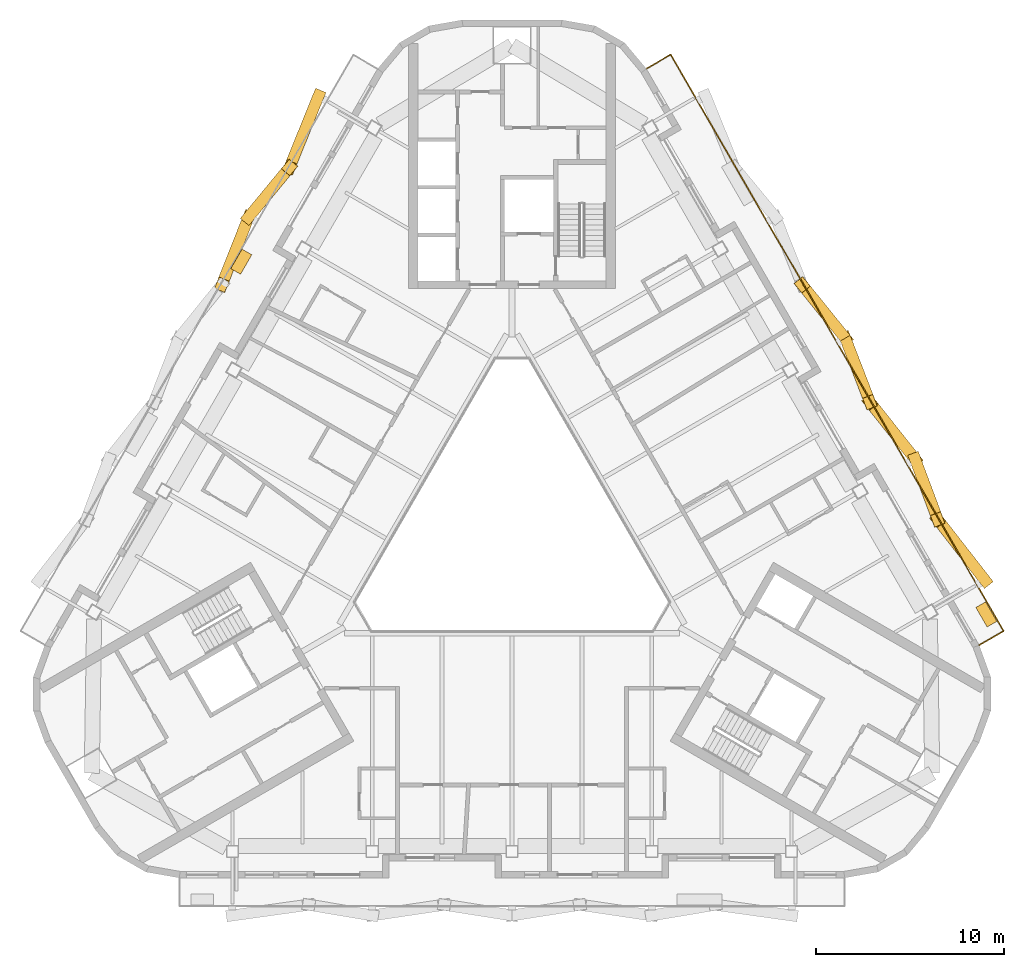
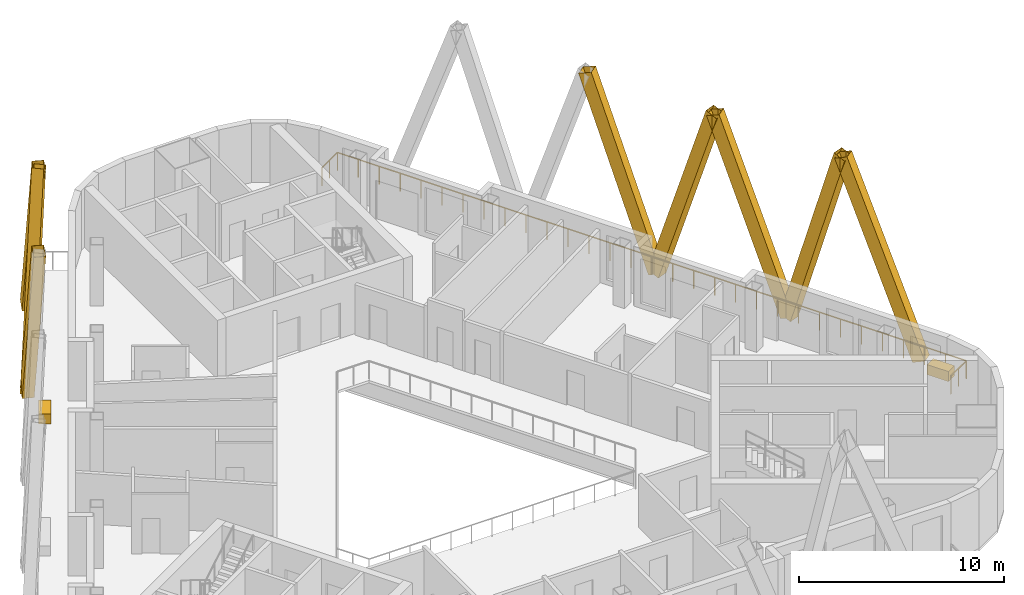
# One storey, part 13 of 14: 8 shading devices, 2 coverings, 1 railing.
"""IFC4 building model written with IfcOpenShell, lengths in metres."""

from ifc_helpers import new_model, si_unit, direction, frame, origin, origin_2d, place, context, subcontext, project, spatial, rectangle, hollow_rectangle, extrude, material, material_profile, profile_set, type_object, element, save


model = new_model("IFC4")

# Units and contexts
model_context = context("Model", 3, precision=1e-05, world=origin(), true_north=direction((0.0, 1.0)))
body_context = subcontext(model_context, "Body", "Model", "MODEL_VIEW")
ifc_project = project(units=[si_unit("LENGTHUNIT", "METRE"), si_unit("AREAUNIT", "SQUARE_METRE"), si_unit("VOLUMEUNIT", "CUBIC_METRE"), si_unit("PLANEANGLEUNIT", "RADIAN"), si_unit("MASSUNIT", "GRAM", prefix="KILO")], contexts=[model_context])

# Site, building, storey
site_placement = place(None, origin())
site = spatial("IfcSite", under=ifc_project, at=site_placement, CompositionType="ELEMENT")
building_placement = place(site_placement, origin())
building = spatial("IfcBuilding", under=site, at=building_placement, Name="Apuvela Tower Hotel", CompositionType="ELEMENT")
storey_placement = place(building_placement, frame((0.0, 0.0, 268.89990234375)))
storey = spatial("IfcBuildingStorey", under=building, at=storey_placement, Name="L66", CompositionType="ELEMENT", Elevation=268.89990234375)

# Shading devices
ifc_material_1 = material(Name="Aluminium 6063-T6, black anodised", Category="aluminium")
ifc_material_profile = material_profile(ifc_material_1, hollow_rectangle(XDim=0.60009765625, YDim=0.699951171875, WallThickness=0.011962890625, at=origin_2d()), Name="AL BOX 700x600x12")
ifc_profile_set = profile_set([ifc_material_profile], Name="Aluminium 6063-T6, black anodised")
shading_device_type = type_object("IfcShadingDeviceType", Name="ENV-FIN-700x600", PredefinedType="USERDEFINED", material=ifc_profile_set)
shading_device_1_placement = place(storey_placement, frame((25.193603515625, -2.644775390625, -0.099853515625), z_axis=(-0.213214121661, 0.273454589513, 0.937956462635), x_axis=(-0.788614818164, -0.61488752514, 0.0)))
element("IfcShadingDevice", 1, at=shading_device_1_placement, inside=storey, type_object=shading_device_type, Name="Lattice fin NE577", ObjectType="FIN", PredefinedType="USERDEFINED", context=body_context, shape_type="SweptSolid", body=[
    extrude(hollow_rectangle(XDim=0.60009765625, YDim=0.699951171875, WallThickness=0.011962890625, at=origin_2d()), origin(), (0.0, 0.0, 1.0), 11.833984375),
])
shading_device_2_placement = place(storey_placement, frame((21.4716796875, 3.801513671875, -0.099853515625), z_axis=(0.103189739622, -0.276342543033, 0.955503362918), x_axis=(0.936817233822, 0.34981919675, 0.0)))
element("IfcShadingDevice", 2, at=shading_device_2_placement, inside=storey, type_object=shading_device_type, Name="Lattice fin NE578", ObjectType="FIN", PredefinedType="USERDEFINED", context=body_context, shape_type="SweptSolid", body=[
    extrude(hollow_rectangle(XDim=0.60009765625, YDim=0.699951171875, WallThickness=0.011962890625, at=origin_2d()), origin(), (0.0, 0.0, 1.0), 11.61669921875),
])
shading_device_3_placement = place(storey_placement, frame((21.4716796875, 3.801513671875, -0.099853515625), z_axis=(-0.204902056473, 0.258432407262, 0.944048641824), x_axis=(-0.783588570734, -0.621280091275, 0.0)))
element("IfcShadingDevice", 3, at=shading_device_3_placement, inside=storey, type_object=shading_device_type, Name="Lattice fin NE579", ObjectType="FIN", PredefinedType="USERDEFINED", context=body_context, shape_type="SweptSolid", body=[
    extrude(hollow_rectangle(XDim=0.60009765625, YDim=0.699951171875, WallThickness=0.011962890625, at=origin_2d()), origin(), (0.0, 0.0, 1.0), 11.7578125),
])
shading_device_4_placement = place(storey_placement, frame((17.75, 10.247802734375, -0.099853515625), z_axis=(0.112322381193, -0.291628682419, 0.94991388782), x_axis=(0.93317663974, 0.359418083912, 0.0)))
element("IfcShadingDevice", 4, at=shading_device_4_placement, inside=storey, type_object=shading_device_type, Name="Lattice fin NE580", ObjectType="FIN", PredefinedType="USERDEFINED", context=body_context, shape_type="SweptSolid", body=[
    extrude(hollow_rectangle(XDim=0.60009765625, YDim=0.699951171875, WallThickness=0.011962890625, at=origin_2d()), origin(), (0.0, 0.0, 1.0), 11.68505859375),
])
shading_device_5_placement = place(storey_placement, frame((17.75, 10.247802734375, -0.099853515625), z_axis=(-0.196395762307, 0.243112881936, 0.949907801413), x_axis=(-0.777885876447, -0.628405572242, 0.0)))
element("IfcShadingDevice", 5, at=shading_device_5_placement, inside=storey, type_object=shading_device_type, Name="Lattice fin NE581", ObjectType="FIN", PredefinedType="USERDEFINED", context=body_context, shape_type="SweptSolid", body=[
    extrude(hollow_rectangle(XDim=0.60009765625, YDim=0.699951171875, WallThickness=0.011962890625, at=origin_2d()), origin(), (0.0, 0.0, 1.0), 11.685302734375),
])
shading_device_6_placement = place(storey_placement, frame((-10.306396484375, 23.140380859375, -0.099853515625), z_axis=(-0.130219072709, -0.321359710962, 0.937961048911), x_axis=(0.926801403777, -0.375551804625, 0.0)))
element("IfcShadingDevice", 6, at=shading_device_6_placement, inside=storey, type_object=shading_device_type, Name="Lattice fin NW609", ObjectType="FIN", PredefinedType="USERDEFINED", context=body_context, shape_type="SweptSolid", body=[
    extrude(hollow_rectangle(XDim=0.60009765625, YDim=0.699951171875, WallThickness=0.011962890625, at=origin_2d()), origin(), (0.0, 0.0, 1.0), 11.833984375),
])
shading_device_7_placement = place(storey_placement, frame((-14.028076171875, 16.694091796875, -0.099853515625), z_axis=(0.187717047457, 0.227542820512, 0.955503309742), x_axis=(-0.771382896295, 0.636371296731, 0.0)))
element("IfcShadingDevice", 7, at=shading_device_7_placement, inside=storey, type_object=shading_device_type, Name="Lattice fin NW610", ObjectType="FIN", PredefinedType="USERDEFINED", context=body_context, shape_type="SweptSolid", body=[
    extrude(hollow_rectangle(XDim=0.60009765625, YDim=0.699951171875, WallThickness=0.011962890625, at=origin_2d()), origin(), (0.0, 0.0, 1.0), 11.61669921875),
])
shading_device_8_placement = place(storey_placement, frame((-14.028076171875, 16.694091796875, -0.099853515625), z_axis=(-0.121367888834, -0.30664858551, 0.944053219138), x_axis=(0.929820976648, -0.368012162006, 0.0)))
element("IfcShadingDevice", 8, at=shading_device_8_placement, inside=storey, type_object=shading_device_type, Name="Lattice fin NW611", ObjectType="FIN", PredefinedType="USERDEFINED", context=body_context, shape_type="SweptSolid", body=[
    extrude(hollow_rectangle(XDim=0.60009765625, YDim=0.699951171875, WallThickness=0.011962890625, at=origin_2d()), origin(), (0.0, 0.0, 1.0), 11.757568359375),
])

# Railing
ifc_material_2 = material(Name="Stainless steel 316 rail with laminated glass infill", Category="steel")
railing_type = type_object("IfcRailingType", Name="ENV-GUARD-1100", PredefinedType="GUARDRAIL", material=ifc_material_2)
railing_placement = place(storey_placement, frame((24.882080078125, -6.105712890625, 0.0)))
element("IfcRailing", 9, at=railing_placement, inside=storey, type_object=railing_type, Name="Balcony guard NE L66", PredefinedType="GUARDRAIL", context=body_context, shape_type="SweptSolid", body=[
    extrude(rectangle(XDim=0.050048828125, YDim=0.050048828125, at=origin_2d()), frame((0.0, 0.0, 1.0751953125), z_axis=(0.866031096941, 0.499990139034, 0.0), x_axis=(-0.499990139034, 0.866031096941, 0.0)), (0.0, 0.0, 1.0), 1.5),
    extrude(rectangle(XDim=0.050048828125, YDim=0.050048828125, at=origin_2d()), frame((1.299072265625, 0.75, 1.0751953125), z_axis=(-0.500000994306, 0.866024829721, 0.0), x_axis=(-0.866024829721, -0.500000994306, 0.0)), (0.0, 0.0, 1.0), 35.45751953125),
    extrude(rectangle(XDim=0.050048828125, YDim=0.050048828125, at=origin_2d()), frame((-16.4296875, 31.45703125, 1.0751953125), z_axis=(-0.86599040064, -0.500060622324, 0.0), x_axis=(0.500060622324, -0.86599040064, 0.0)), (0.0, 0.0, 1.0), 1.499755859375),
    extrude(rectangle(XDim=0.0400390625, YDim=0.0400390625, at=origin_2d()), origin(), (0.0, 0.0, 1.0), 1.050048828125),
    extrude(rectangle(XDim=0.0400390625, YDim=0.0400390625, at=origin_2d()), frame((0.6494140625, 0.375, 0.0)), (0.0, 0.0, 1.0), 1.050048828125),
    extrude(rectangle(XDim=0.0400390625, YDim=0.0400390625, at=origin_2d()), frame((1.299072265625, 0.75, 0.0)), (0.0, 0.0, 1.0), 1.050048828125),
    extrude(rectangle(XDim=0.0400390625, YDim=0.0400390625, at=origin_2d()), frame((0.7080078125, 1.773681640625, 0.0)), (0.0, 0.0, 1.0), 1.050048828125),
    extrude(rectangle(XDim=0.0400390625, YDim=0.0400390625, at=origin_2d()), frame((0.1171875, 2.797119140625, 0.0)), (0.0, 0.0, 1.0), 1.050048828125),
    extrude(rectangle(XDim=0.0400390625, YDim=0.0400390625, at=origin_2d()), frame((-0.473876953125, 3.82080078125, 0.0)), (0.0, 0.0, 1.0), 1.050048828125),
    extrude(rectangle(XDim=0.0400390625, YDim=0.0400390625, at=origin_2d()), frame((-1.064697265625, 4.84423828125, 0.0)), (0.0, 0.0, 1.0), 1.050048828125),
    extrude(rectangle(XDim=0.0400390625, YDim=0.0400390625, at=origin_2d()), frame((-1.65576171875, 5.867919921875, 0.0)), (0.0, 0.0, 1.0), 1.050048828125),
    extrude(rectangle(XDim=0.0400390625, YDim=0.0400390625, at=origin_2d()), frame((-2.24658203125, 6.891357421875, 0.0)), (0.0, 0.0, 1.0), 1.050048828125),
    extrude(rectangle(XDim=0.0400390625, YDim=0.0400390625, at=origin_2d()), frame((-2.837646484375, 7.9150390625, 0.0)), (0.0, 0.0, 1.0), 1.050048828125),
    extrude(rectangle(XDim=0.0400390625, YDim=0.0400390625, at=origin_2d()), frame((-3.4287109375, 8.9384765625, 0.0)), (0.0, 0.0, 1.0), 1.050048828125),
    extrude(rectangle(XDim=0.0400390625, YDim=0.0400390625, at=origin_2d()), frame((-4.01953125, 9.962158203125, 0.0)), (0.0, 0.0, 1.0), 1.050048828125),
    extrude(rectangle(XDim=0.0400390625, YDim=0.0400390625, at=origin_2d()), frame((-4.610595703125, 10.985595703125, 0.0)), (0.0, 0.0, 1.0), 1.050048828125),
    extrude(rectangle(XDim=0.0400390625, YDim=0.0400390625, at=origin_2d()), frame((-5.201416015625, 12.00927734375, 0.0)), (0.0, 0.0, 1.0), 1.050048828125),
    extrude(rectangle(XDim=0.0400390625, YDim=0.0400390625, at=origin_2d()), frame((-5.79248046875, 13.03271484375, 0.0)), (0.0, 0.0, 1.0), 1.050048828125),
    extrude(rectangle(XDim=0.0400390625, YDim=0.0400390625, at=origin_2d()), frame((-6.38330078125, 14.056396484375, 0.0)), (0.0, 0.0, 1.0), 1.050048828125),
    extrude(rectangle(XDim=0.0400390625, YDim=0.0400390625, at=origin_2d()), frame((-6.974365234375, 15.079833984375, 0.0)), (0.0, 0.0, 1.0), 1.050048828125),
    extrude(rectangle(XDim=0.0400390625, YDim=0.0400390625, at=origin_2d()), frame((-7.5654296875, 16.103515625, 0.0)), (0.0, 0.0, 1.0), 1.050048828125),
    extrude(rectangle(XDim=0.0400390625, YDim=0.0400390625, at=origin_2d()), frame((-8.15625, 17.127197265625, 0.0)), (0.0, 0.0, 1.0), 1.050048828125),
    extrude(rectangle(XDim=0.0400390625, YDim=0.0400390625, at=origin_2d()), frame((-8.747314453125, 18.150634765625, 0.0)), (0.0, 0.0, 1.0), 1.050048828125),
    extrude(rectangle(XDim=0.0400390625, YDim=0.0400390625, at=origin_2d()), frame((-9.338134765625, 19.17431640625, 0.0)), (0.0, 0.0, 1.0), 1.050048828125),
    extrude(rectangle(XDim=0.0400390625, YDim=0.0400390625, at=origin_2d()), frame((-9.92919921875, 20.19775390625, 0.0)), (0.0, 0.0, 1.0), 1.050048828125),
    extrude(rectangle(XDim=0.0400390625, YDim=0.0400390625, at=origin_2d()), frame((-10.52001953125, 21.221435546875, 0.0)), (0.0, 0.0, 1.0), 1.050048828125),
    extrude(rectangle(XDim=0.0400390625, YDim=0.0400390625, at=origin_2d()), frame((-11.111083984375, 22.244873046875, 0.0)), (0.0, 0.0, 1.0), 1.050048828125),
    extrude(rectangle(XDim=0.0400390625, YDim=0.0400390625, at=origin_2d()), frame((-11.701904296875, 23.2685546875, 0.0)), (0.0, 0.0, 1.0), 1.050048828125),
    extrude(rectangle(XDim=0.0400390625, YDim=0.0400390625, at=origin_2d()), frame((-12.29296875, 24.2919921875, 0.0)), (0.0, 0.0, 1.0), 1.050048828125),
    extrude(rectangle(XDim=0.0400390625, YDim=0.0400390625, at=origin_2d()), frame((-12.884033203125, 25.315673828125, 0.0)), (0.0, 0.0, 1.0), 1.050048828125),
    extrude(rectangle(XDim=0.0400390625, YDim=0.0400390625, at=origin_2d()), frame((-13.474853515625, 26.339111328125, 0.0)), (0.0, 0.0, 1.0), 1.050048828125),
    extrude(rectangle(XDim=0.0400390625, YDim=0.0400390625, at=origin_2d()), frame((-14.06591796875, 27.36279296875, 0.0)), (0.0, 0.0, 1.0), 1.050048828125),
    extrude(rectangle(XDim=0.0400390625, YDim=0.0400390625, at=origin_2d()), frame((-14.65673828125, 28.38623046875, 0.0)), (0.0, 0.0, 1.0), 1.050048828125),
    extrude(rectangle(XDim=0.0400390625, YDim=0.0400390625, at=origin_2d()), frame((-15.247802734375, 29.409912109375, 0.0)), (0.0, 0.0, 1.0), 1.050048828125),
    extrude(rectangle(XDim=0.0400390625, YDim=0.0400390625, at=origin_2d()), frame((-15.838623046875, 30.433349609375, 0.0)), (0.0, 0.0, 1.0), 1.050048828125),
    extrude(rectangle(XDim=0.0400390625, YDim=0.0400390625, at=origin_2d()), frame((-16.4296875, 31.45703125, 0.0)), (0.0, 0.0, 1.0), 1.050048828125),
    extrude(rectangle(XDim=0.0400390625, YDim=0.0400390625, at=origin_2d()), frame((-17.0791015625, 31.08203125, 0.0)), (0.0, 0.0, 1.0), 1.050048828125),
    extrude(rectangle(XDim=0.0400390625, YDim=0.0400390625, at=origin_2d()), frame((-17.728515625, 30.70703125, 0.0)), (0.0, 0.0, 1.0), 1.050048828125),
])

# Coverings
ifc_material_3 = material(Name="Planting substrate and soil, planted")
covering_type = type_object("IfcCoveringType", Name="ENV-PLANTER-1200x600", PredefinedType="USERDEFINED", material=ifc_material_3)
for number, where, z_axis, x_axis, name in (
    (10, (25.2626953125, -4.464599609375, 0.0), (0.0, 0.0, 1.0), (-0.5, 0.866025403784, 0.0), "Planter NE3"),
    (11, (-14.4169921875, 14.320556640625, 0.0), (0.0, 0.0, 1.0), (-0.5, -0.866025403784, 0.0), "Planter NW5"),
):
    element("IfcCovering", number, at=place(storey_placement, frame(where, z_axis=z_axis, x_axis=x_axis)), inside=storey, type_object=covering_type, Name=name, ObjectType="PLANTER", PredefinedType="USERDEFINED", context=body_context, shape_type="SweptSolid", body=[
        extrude(rectangle(XDim=1.199951171875, YDim=0.60009765625, at=origin_2d()), origin(), (0.0, 0.0, 1.0), 0.60009765625),
    ])

save(model, "model.ifc")
